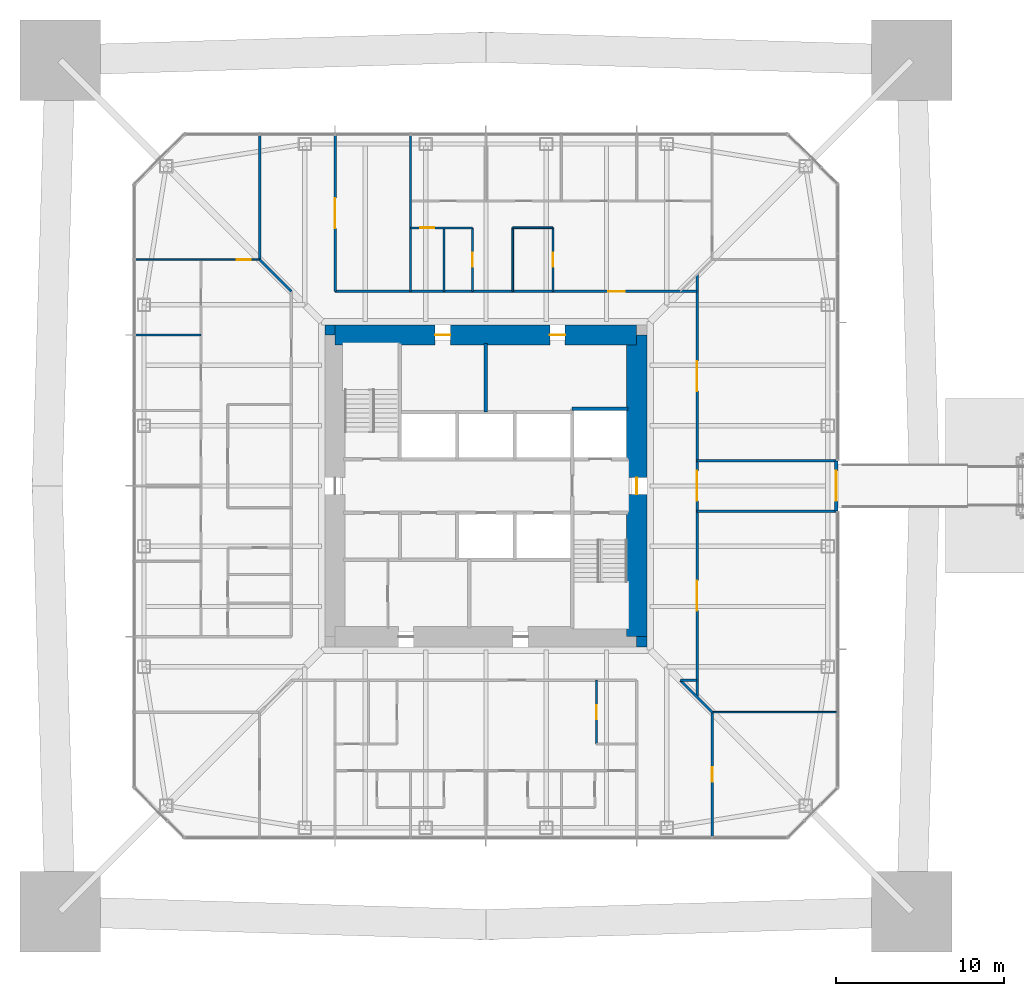
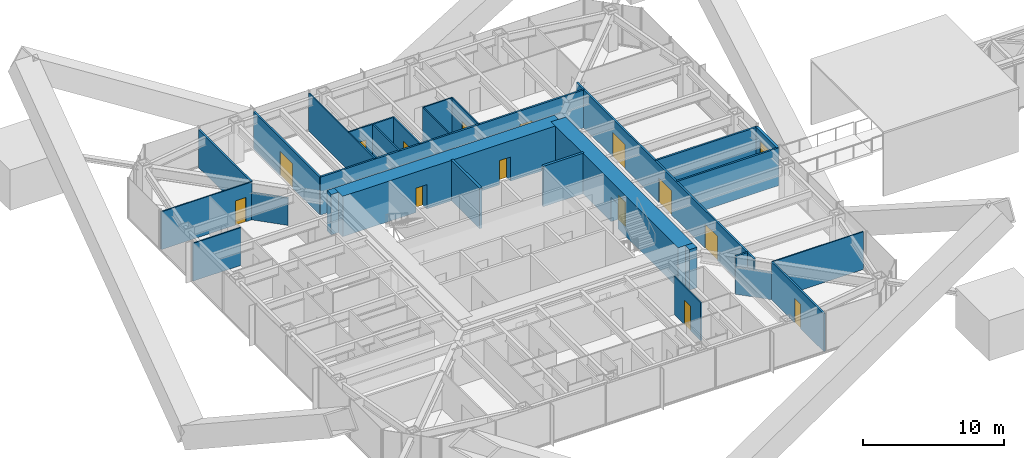
# One storey, part 19 of 28: 28 walls, 15 doors, 15 openings.
"""IFC4 building model written with IfcOpenShell, lengths in metres."""

from ifc_helpers import new_model, si_unit, direction, frame, frame_2d, origin, place, context, subcontext, project, spatial, rectangle, extrude, material, layer, layer_set, type_object, element, fill, save


model = new_model("IFC4")

# Units and contexts
model_context = context("Model", 3, precision=1e-05, world=origin(), true_north=direction((0.0, 1.0)))
body_context = subcontext(model_context, "Body", "Model", "MODEL_VIEW")
ifc_project = project(units=[si_unit("LENGTHUNIT", "METRE"), si_unit("AREAUNIT", "SQUARE_METRE"), si_unit("VOLUMEUNIT", "CUBIC_METRE"), si_unit("PLANEANGLEUNIT", "RADIAN"), si_unit("MASSUNIT", "GRAM", prefix="KILO")], contexts=[model_context])

# Site, building, storey
site_placement = place(None, origin())
site = spatial("IfcSite", under=ifc_project, at=site_placement, CompositionType="ELEMENT")
building_placement = place(site_placement, origin())
building = spatial("IfcBuilding", under=site, at=building_placement, Name="Iwan Alto Co-Living Towers", CompositionType="ELEMENT")
storey_placement = place(building_placement, frame((0.0, 0.0, 98.0)))
storey = spatial("IfcBuildingStorey", under=building, at=storey_placement, Name="L26", CompositionType="ELEMENT", Elevation=98.0)

# Wall, opening, door
ifc_material_1 = material(Name="Aluminium 6063-T6 bronze anodised", Category="aluminium")
ifc_layer_1 = layer(ifc_material_1, 0.030029296875, Name="Cladding", Category="Finish")
ifc_material_2 = material(Name="Steel ASTM A1003 ST33H cold-formed studs", Category="steel")
ifc_layer_2 = layer(ifc_material_2, 0.169921875, Name="Studs", Category="Framing")
ifc_layer_set_1 = layer_set([ifc_layer_1, ifc_layer_2], Name="BRIDGE END WALL 200")
wall_type_1 = type_object("IfcWallType", Name="BRIDGE END WALL 200", PredefinedType="SOLIDWALL", material=ifc_layer_set_1)
wall_1_placement = place(storey_placement, frame((20.89990234375, -1.5, 0.0), z_axis=(0.0, 0.0, 1.0), x_axis=(0.0, 1.0, 0.0)))
wall_1 = element("IfcWall", 1, at=wall_1_placement, inside=storey, type_object=wall_type_1, Name="T1 bridge end wall L26", PredefinedType="SOLIDWALL", context=body_context, shape_type="SweptSolid", body=[
    extrude(rectangle(XDim=3.0, YDim=0.199951171875, at=frame_2d((1.5, 0.0))), origin(), (0.0, 0.0, 1.0), 3.27001953125),
])
opening_1_placement = place(wall_1_placement, frame((0.60009765625, 0.0, 0.0)))
opening_1 = element("IfcOpeningElement", 2, at=opening_1_placement, cuts=wall_1, Name="Opening DE5", PredefinedType="OPENING", context=body_context, shape_type="SweptSolid", body=[
    extrude(rectangle(XDim=1.800048828125, YDim=2.39990234375, at=frame_2d((0.89990234375, 1.199951171875))), frame((0.0, 0.10986328125, 0.0), z_axis=(0.0, -1.0, 0.0), x_axis=(1.0, 0.0, 0.0)), (0.0, 0.0, 1.0), 0.219970703125),
])
ifc_material_3 = material(Name="Steel frame with glazed fire-rated leaves", Category="steel")
door_type_1 = type_object("IfcDoorType", Name="BRIDGE DOOR FD120S 1800X2400", OperationType="DOUBLE_DOOR_SINGLE_SWING", PredefinedType="DOOR", material=ifc_material_3)
door_1_placement = place(opening_1_placement, frame((1.800048828125, 0.0, 0.0), z_axis=(0.0, 0.0, 1.0), x_axis=(-1.0, 0.0, 0.0)))
door_1 = element("IfcDoor", 3, at=door_1_placement, inside=storey, type_object=door_type_1, Name="Bridge BR1 door L26", OperationType="DOUBLE_DOOR_SINGLE_SWING", OverallHeight=2.39990234375, OverallWidth=1.800048828125, PredefinedType="DOOR", context=body_context, shape_type="SweptSolid", body=[
    extrude(rectangle(XDim=1.800048828125, YDim=2.39990234375, at=frame_2d((0.89990234375, 1.199951171875))), frame((0.0, 0.02490234375, 0.0), z_axis=(0.0, -1.0, 0.0), x_axis=(1.0, 0.0, 0.0)), (0.0, 0.0, 1.0), 0.050048828125),
])
fill(opening_1, door_1)

# Walls
ifc_material_4 = material(Name="Gypsum board")
ifc_layer_3 = layer(ifc_material_4, 0.02490234375, Name="Board", Category="Finish")
ifc_layer_4 = layer(ifc_material_2, 0.10009765625, Name="Studs", Category="Framing")
ifc_layer_5 = layer(ifc_material_4, 0.02490234375, Name="Board", Category="Finish")
ifc_layer_set_2 = layer_set([ifc_layer_3, ifc_layer_4, ifc_layer_5], Name="CORRIDOR WALL 150")
wall_type_2 = type_object("IfcWallType", Name="CORRIDOR WALL 150", PredefinedType="PARTITIONING", material=ifc_layer_set_2)
wall_2_placement = place(storey_placement, frame((11.60009765625, -11.60009765625, 0.0), z_axis=(0.0, 0.0, 1.0), x_axis=(1.0, 0.0, 0.0)))
element("IfcWall", 4, at=wall_2_placement, inside=storey, type_object=wall_type_2, Name="Partition L26", PredefinedType="PARTITIONING", context=body_context, shape_type="SweptSolid", body=[
    extrude(rectangle(XDim=1.0, YDim=0.14990234375, at=frame_2d((0.5, 0.0))), origin(), (0.0, 0.0, 1.0), 3.27001953125),
])
for number, where, z_axis, x_axis, name in (
    (5, (12.60009765625, -1.5, 0.0), (0.0, 0.0, 1.0), (1.0, 0.0, 0.0), "Partition L26"),
    (6, (12.60009765625, 1.5, 0.0), (0.0, 0.0, 1.0), (1.0, 0.0, 0.0), "Partition L26"),
):
    element("IfcWall", number, at=place(storey_placement, frame(where, z_axis=z_axis, x_axis=x_axis)), inside=storey, type_object=wall_type_2, Name=name, PredefinedType="PARTITIONING", context=body_context, shape_type="SweptSolid", body=[
        extrude(rectangle(XDim=8.33984375, YDim=0.14990234375, at=frame_2d((4.169921875, 0.0))), origin(), (0.0, 0.0, 1.0), 3.27001953125),
    ])

# Wall, opening, door
wall_3_placement = place(storey_placement, frame((-9.0, 11.60009765625, 0.0), z_axis=(0.0, 0.0, 1.0), x_axis=(1.0, 0.0, 0.0)))
wall_3 = element("IfcWall", 7, at=wall_3_placement, inside=storey, type_object=wall_type_2, Name="Partition L26", PredefinedType="PARTITIONING", context=body_context, shape_type="SweptSolid", body=[
    extrude(rectangle(XDim=21.60009765625, YDim=0.14990234375, at=frame_2d((10.800048828125, 0.0))), origin(), (0.0, 0.0, 1.0), 3.27001953125),
])
opening_2_placement = place(wall_3_placement, frame((16.300048828125, 0.0, 0.0)))
opening_2 = element("IfcOpeningElement", 8, at=opening_2_placement, cuts=wall_3, Name="Opening D3", PredefinedType="OPENING", context=body_context, shape_type="SweptSolid", body=[
    extrude(rectangle(XDim=1.0, YDim=2.10009765625, at=frame_2d((0.5, 1.050048828125))), frame((0.0, 0.0849609375, 0.0), z_axis=(0.0, -1.0, 0.0), x_axis=(1.0, 0.0, 0.0)), (0.0, 0.0, 1.0), 0.169921875),
])
ifc_material_5 = material(Name="Steel frame with timber leaf", Category="steel")
door_type_2 = type_object("IfcDoorType", Name="FLAT ENTRANCE DOOR FD30S 1000X2100", OperationType="SINGLE_SWING_LEFT", PredefinedType="DOOR", material=ifc_material_5)
door_2_placement = place(opening_2_placement, origin())
door_2 = element("IfcDoor", 9, at=door_2_placement, inside=storey, type_object=door_type_2, Name="Cluster lounge door L26", OperationType="SINGLE_SWING_LEFT", OverallHeight=2.10009765625, OverallWidth=1.0, PredefinedType="DOOR", context=body_context, shape_type="SweptSolid", body=[
    extrude(rectangle(XDim=1.0, YDim=2.10009765625, at=frame_2d((0.5, 1.050048828125))), frame((0.0, 0.02490234375, 0.0), z_axis=(0.0, -1.0, 0.0), x_axis=(1.0, 0.0, 0.0)), (0.0, 0.0, 1.0), 0.050048828125),
])
fill(opening_2, door_2)

wall_4_placement = place(storey_placement, frame((13.5, -20.93994140625, 0.0), z_axis=(0.0, 0.0, 1.0), x_axis=(0.0, 1.0, 0.0)))
wall_4 = element("IfcWall", 10, at=wall_4_placement, inside=storey, type_object=wall_type_2, Name="Partition L26", PredefinedType="PARTITIONING", context=body_context, shape_type="SweptSolid", body=[
    extrude(rectangle(XDim=7.43994140625, YDim=0.14990234375, at=frame_2d((3.719970703125, 0.0))), origin(), (0.0, 0.0, 1.0), 3.27001953125),
])
opening_3_placement = place(wall_4_placement, frame((3.294921875, 0.0, 0.0)))
opening_3 = element("IfcOpeningElement", 11, at=opening_3_placement, cuts=wall_4, Name="Opening D2", PredefinedType="OPENING", context=body_context, shape_type="SweptSolid", body=[
    extrude(rectangle(XDim=0.85009765625, YDim=2.10009765625, at=frame_2d((0.425048828125, 1.050048828125))), frame((0.0, 0.0849609375, 0.0), z_axis=(0.0, -1.0, 0.0), x_axis=(1.0, 0.0, 0.0)), (0.0, 0.0, 1.0), 0.169921875),
])
ifc_material_6 = material(Name="Timber leaf in steel frame", Category="steel")
door_type_3 = type_object("IfcDoorType", Name="ROOM DOOR 850X2100", OperationType="SINGLE_SWING_LEFT", PredefinedType="DOOR", material=ifc_material_6)
door_3_placement = place(opening_3_placement, frame((0.85009765625, 0.0, 0.0), z_axis=(0.0, 0.0, 1.0), x_axis=(-1.0, 0.0, 0.0)))
door_3 = element("IfcDoor", 12, at=door_3_placement, inside=storey, type_object=door_type_3, Name="Shared kitchen and lounge door L26", OperationType="SINGLE_SWING_LEFT", OverallHeight=2.10009765625, OverallWidth=0.85009765625, PredefinedType="DOOR", context=body_context, shape_type="SweptSolid", body=[
    extrude(rectangle(XDim=0.85009765625, YDim=2.10009765625, at=frame_2d((0.425048828125, 1.050048828125))), frame((0.0, 0.02490234375, 0.0), z_axis=(0.0, -1.0, 0.0), x_axis=(1.0, 0.0, 0.0)), (0.0, 0.0, 1.0), 0.050048828125),
])
fill(opening_3, door_3)

# Wall, openings, doors
wall_5_placement = place(storey_placement, frame((12.60009765625, -12.60009765625, 0.0), z_axis=(0.0, 0.0, 1.0), x_axis=(0.0, 1.0, 0.0)))
wall_5 = element("IfcWall", 13, at=wall_5_placement, inside=storey, type_object=wall_type_2, Name="Partition L26", PredefinedType="PARTITIONING", context=body_context, shape_type="SweptSolid", body=[
    extrude(rectangle(XDim=25.2001953125, YDim=0.14990234375, at=frame_2d((12.60009765625, 0.0))), origin(), (0.0, 0.0, 1.0), 3.27001953125),
])
opening_4_placement = place(wall_5_placement, frame((5.14990234375, 0.0, 0.0)))
opening_4 = element("IfcOpeningElement", 14, at=opening_4_placement, cuts=wall_5, Name="Opening D9", PredefinedType="OPENING", context=body_context, shape_type="SweptSolid", body=[
    extrude(rectangle(XDim=1.800048828125, YDim=2.10009765625, at=frame_2d((0.89990234375, 1.050048828125))), frame((0.0, 0.0849609375, 0.0), z_axis=(0.0, -1.0, 0.0), x_axis=(1.0, 0.0, 0.0)), (0.0, 0.0, 1.0), 0.169921875),
])
opening_5_placement = place(wall_5_placement, frame((11.699951171875, 0.0, 0.0)))
opening_5 = element("IfcOpeningElement", 15, at=opening_5_placement, cuts=wall_5, Name="Opening D9", PredefinedType="OPENING", context=body_context, shape_type="SweptSolid", body=[
    extrude(rectangle(XDim=1.800048828125, YDim=2.10009765625, at=frame_2d((0.89990234375, 1.050048828125))), frame((0.0, 0.0849609375, 0.0), z_axis=(0.0, -1.0, 0.0), x_axis=(1.0, 0.0, 0.0)), (0.0, 0.0, 1.0), 0.169921875),
])
opening_6_placement = place(wall_5_placement, frame((18.25, 0.0, 0.0)))
opening_6 = element("IfcOpeningElement", 16, at=opening_6_placement, cuts=wall_5, Name="Opening D9", PredefinedType="OPENING", context=body_context, shape_type="SweptSolid", body=[
    extrude(rectangle(XDim=1.800048828125, YDim=2.10009765625, at=frame_2d((0.89990234375, 1.050048828125))), frame((0.0, 0.0849609375, 0.0), z_axis=(0.0, -1.0, 0.0), x_axis=(1.0, 0.0, 0.0)), (0.0, 0.0, 1.0), 0.169921875),
])
ifc_material_7 = material(Name="Steel frame with timber leaf", Category="steel")
door_type_4 = type_object("IfcDoorType", Name="LOUNGE DOOR FD30S 1800X2100", OperationType="DOUBLE_DOOR_SINGLE_SWING", PredefinedType="DOOR", material=ifc_material_7)
door_4_placement = place(opening_4_placement, frame((1.800048828125, 0.0, 0.0), z_axis=(0.0, 0.0, 1.0), x_axis=(-1.0, 0.0, 0.0)))
door_4 = element("IfcDoor", 17, at=door_4_placement, inside=storey, type_object=door_type_4, Name="Study sky lounge door L26", OperationType="DOUBLE_DOOR_SINGLE_SWING", OverallHeight=2.10009765625, OverallWidth=1.800048828125, PredefinedType="DOOR", context=body_context, shape_type="SweptSolid", body=[
    extrude(rectangle(XDim=1.800048828125, YDim=2.10009765625, at=frame_2d((0.89990234375, 1.050048828125))), frame((0.0, 0.02490234375, 0.0), z_axis=(0.0, -1.0, 0.0), x_axis=(1.0, 0.0, 0.0)), (0.0, 0.0, 1.0), 0.050048828125),
])
fill(opening_4, door_4)
door_5_placement = place(opening_5_placement, origin())
door_5 = element("IfcDoor", 18, at=door_5_placement, inside=storey, type_object=door_type_4, Name="Bridge lobby door L26", OperationType="DOUBLE_DOOR_SINGLE_SWING", OverallHeight=2.10009765625, OverallWidth=1.800048828125, PredefinedType="DOOR", context=body_context, shape_type="SweptSolid", body=[
    extrude(rectangle(XDim=1.800048828125, YDim=2.10009765625, at=frame_2d((0.89990234375, 1.050048828125))), frame((0.0, 0.02490234375, 0.0), z_axis=(0.0, -1.0, 0.0), x_axis=(1.0, 0.0, 0.0)), (0.0, 0.0, 1.0), 0.050048828125),
])
fill(opening_5, door_5)
door_6_placement = place(opening_6_placement, frame((1.800048828125, 0.0, 0.0), z_axis=(0.0, 0.0, 1.0), x_axis=(-1.0, 0.0, 0.0)))
door_6 = element("IfcDoor", 19, at=door_6_placement, inside=storey, type_object=door_type_4, Name="Quiet study room door L26", OperationType="DOUBLE_DOOR_SINGLE_SWING", OverallHeight=2.10009765625, OverallWidth=1.800048828125, PredefinedType="DOOR", context=body_context, shape_type="SweptSolid", body=[
    extrude(rectangle(XDim=1.800048828125, YDim=2.10009765625, at=frame_2d((0.89990234375, 1.050048828125))), frame((0.0, 0.02490234375, 0.0), z_axis=(0.0, -1.0, 0.0), x_axis=(1.0, 0.0, 0.0)), (0.0, 0.0, 1.0), 0.050048828125),
])
fill(opening_6, door_6)

# Wall, opening, door
wall_6_placement = place(storey_placement, frame((-9.0, 11.60009765625, 0.0), z_axis=(0.0, 0.0, 1.0), x_axis=(0.0, 1.0, 0.0)))
wall_6 = element("IfcWall", 20, at=wall_6_placement, inside=storey, type_object=wall_type_2, Name="Partition L26", PredefinedType="PARTITIONING", context=body_context, shape_type="SweptSolid", body=[
    extrude(rectangle(XDim=9.33984375, YDim=0.14990234375, at=frame_2d((4.669921875, 0.0))), origin(), (0.0, 0.0, 1.0), 3.27001953125),
])
opening_7_placement = place(wall_6_placement, frame((3.77001953125, 0.0, 0.0)))
opening_7 = element("IfcOpeningElement", 21, at=opening_7_placement, cuts=wall_6, Name="Opening D9", PredefinedType="OPENING", context=body_context, shape_type="SweptSolid", body=[
    extrude(rectangle(XDim=1.800048828125, YDim=2.10009765625, at=frame_2d((0.89990234375, 1.050048828125))), frame((0.0, 0.0849609375, 0.0), z_axis=(0.0, -1.0, 0.0), x_axis=(1.0, 0.0, 0.0)), (0.0, 0.0, 1.0), 0.169921875),
])
door_7_placement = place(opening_7_placement, frame((1.800048828125, 0.0, 0.0), z_axis=(0.0, 0.0, 1.0), x_axis=(-1.0, 0.0, 0.0)))
door_7 = element("IfcDoor", 22, at=door_7_placement, inside=storey, type_object=door_type_4, Name="Seminar room door L26", OperationType="DOUBLE_DOOR_SINGLE_SWING", OverallHeight=2.10009765625, OverallWidth=1.800048828125, PredefinedType="DOOR", context=body_context, shape_type="SweptSolid", body=[
    extrude(rectangle(XDim=1.800048828125, YDim=2.10009765625, at=frame_2d((0.89990234375, 1.050048828125))), frame((0.0, 0.02490234375, 0.0), z_axis=(0.0, -1.0, 0.0), x_axis=(1.0, 0.0, 0.0)), (0.0, 0.0, 1.0), 0.050048828125),
])
fill(opening_7, door_7)

# Walls
wall_7_placement = place(storey_placement, frame((-13.5, 13.5, 0.0), z_axis=(0.0, 0.0, 1.0), x_axis=(0.0, 1.0, 0.0)))
element("IfcWall", 23, at=wall_7_placement, inside=storey, type_object=wall_type_2, Name="Partition L26", PredefinedType="PARTITIONING", context=body_context, shape_type="SweptSolid", body=[
    extrude(rectangle(XDim=7.43994140625, YDim=0.14990234375, at=frame_2d((3.719970703125, 0.0))), origin(), (0.0, 0.0, 1.0), 3.27001953125),
])
for number, where, z_axis, x_axis, name in (
    (24, (13.5, -13.5, 0.0), (0.0, 0.0, 1.0), (-0.707106781187, 0.707106781187, 0.0), "Partition L26"),
    (25, (-11.60009765625, 11.60009765625, 0.0), (0.0, 0.0, 1.0), (-0.707106781187, 0.707106781187, 0.0), "Partition L26"),
):
    element("IfcWall", number, at=place(storey_placement, frame(where, z_axis=z_axis, x_axis=x_axis)), inside=storey, type_object=wall_type_2, Name=name, PredefinedType="PARTITIONING", context=body_context, shape_type="SweptSolid", body=[
        extrude(rectangle(XDim=2.686767578125, YDim=0.14990234375, at=frame_2d((1.34326171875, 0.0))), origin(), (0.0, 0.0, 1.0), 2.343017578125),
    ])
ifc_layer_6 = layer(ifc_material_4, 0.012451171875, Name="Board", Category="Finish")
ifc_layer_7 = layer(ifc_material_2, 0.074951171875, Name="Studs", Category="Framing")
ifc_layer_8 = layer(ifc_material_4, 0.012451171875, Name="Board", Category="Finish")
ifc_layer_set_3 = layer_set([ifc_layer_6, ifc_layer_7, ifc_layer_8], Name="PARTITION 100")
wall_type_3 = type_object("IfcWallType", Name="PARTITION 100", PredefinedType="PARTITIONING", material=ifc_layer_set_3)
wall_8_placement = place(storey_placement, frame((13.5, -13.5, 0.0), z_axis=(0.0, 0.0, 1.0), x_axis=(1.0, 0.0, 0.0)))
element("IfcWall", 26, at=wall_8_placement, inside=storey, type_object=wall_type_3, Name="Partition L26", PredefinedType="PARTITIONING", context=body_context, shape_type="SweptSolid", body=[
    extrude(rectangle(XDim=7.43994140625, YDim=0.10009765625, at=frame_2d((3.719970703125, 0.0))), origin(), (0.0, 0.0, 1.0), 3.27001953125),
])
wall_9_placement = place(storey_placement, frame((-20.93994140625, 9.0, 0.0), z_axis=(0.0, 0.0, 1.0), x_axis=(1.0, 0.0, 0.0)))
element("IfcWall", 27, at=wall_9_placement, inside=storey, type_object=wall_type_3, Name="Partition L26", PredefinedType="PARTITIONING", context=body_context, shape_type="SweptSolid", body=[
    extrude(rectangle(XDim=3.93994140625, YDim=0.10009765625, at=frame_2d((1.969970703125, 0.0))), origin(), (0.0, 0.0, 1.0), 3.27001953125),
])

# Wall, opening, door
wall_10_placement = place(storey_placement, frame((-20.93994140625, 13.5, 0.0), z_axis=(0.0, 0.0, 1.0), x_axis=(1.0, 0.0, 0.0)))
wall_10 = element("IfcWall", 28, at=wall_10_placement, inside=storey, type_object=wall_type_3, Name="Partition L26", PredefinedType="PARTITIONING", context=body_context, shape_type="SweptSolid", body=[
    extrude(rectangle(XDim=7.43994140625, YDim=0.10009765625, at=frame_2d((3.719970703125, 0.0))), origin(), (0.0, 0.0, 1.0), 3.27001953125),
])
opening_8_placement = place(wall_10_placement, frame((6.06494140625, 0.0, 0.0)))
opening_8 = element("IfcOpeningElement", 29, at=opening_8_placement, cuts=wall_10, Name="Opening D2", PredefinedType="OPENING", context=body_context, shape_type="SweptSolid", body=[
    extrude(rectangle(XDim=0.85009765625, YDim=2.10009765625, at=frame_2d((0.425048828125, 1.050048828125))), frame((0.0, 0.06005859375, 0.0), z_axis=(0.0, -1.0, 0.0), x_axis=(1.0, 0.0, 0.0)), (0.0, 0.0, 1.0), 0.1201171875),
])
door_8_placement = place(opening_8_placement, frame((0.85009765625, 0.0, 0.0), z_axis=(0.0, 0.0, 1.0), x_axis=(-1.0, 0.0, 0.0)))
door_8 = element("IfcDoor", 30, at=door_8_placement, inside=storey, type_object=door_type_3, Name="Shared kitchen and lounge door L26", OperationType="SINGLE_SWING_LEFT", OverallHeight=2.10009765625, OverallWidth=0.85009765625, PredefinedType="DOOR", context=body_context, shape_type="SweptSolid", body=[
    extrude(rectangle(XDim=0.85009765625, YDim=2.10009765625, at=frame_2d((0.425048828125, 1.050048828125))), frame((0.0, 0.02490234375, 0.0), z_axis=(0.0, -1.0, 0.0), x_axis=(1.0, 0.0, 0.0)), (0.0, 0.0, 1.0), 0.050048828125),
])
fill(opening_8, door_8)

# Wall
wall_11_placement = place(storey_placement, frame((1.60009765625, 15.39990234375, 0.0), z_axis=(0.0, 0.0, 1.0), x_axis=(1.0, 0.0, 0.0)))
element("IfcWall", 31, at=wall_11_placement, inside=storey, type_object=wall_type_3, Name="Partition L26", PredefinedType="PARTITIONING", context=body_context, shape_type="SweptSolid", body=[
    extrude(rectangle(XDim=2.39990234375, YDim=0.10009765625, at=frame_2d((1.199951171875, 0.0))), origin(), (0.0, 0.0, 1.0), 3.27001953125),
])

# Wall, opening, door
wall_12_placement = place(storey_placement, frame((6.60009765625, -15.39990234375, 0.0), z_axis=(0.0, 0.0, 1.0), x_axis=(0.0, 1.0, 0.0)))
wall_12 = element("IfcWall", 32, at=wall_12_placement, inside=storey, type_object=wall_type_3, Name="Partition L26", PredefinedType="PARTITIONING", context=body_context, shape_type="SweptSolid", body=[
    extrude(rectangle(XDim=3.7998046875, YDim=0.10009765625, at=frame_2d((1.89990234375, 0.0))), origin(), (0.0, 0.0, 1.0), 3.27001953125),
])
opening_9_placement = place(wall_12_placement, frame((1.47509765625, 0.0, 0.0)))
opening_9 = element("IfcOpeningElement", 33, at=opening_9_placement, cuts=wall_12, Name="Opening D2", PredefinedType="OPENING", context=body_context, shape_type="SweptSolid", body=[
    extrude(rectangle(XDim=0.85009765625, YDim=2.10009765625, at=frame_2d((0.425048828125, 1.050048828125))), frame((0.0, 0.06005859375, 0.0), z_axis=(0.0, -1.0, 0.0), x_axis=(1.0, 0.0, 0.0)), (0.0, 0.0, 1.0), 0.1201171875),
])
door_9_placement = place(opening_9_placement, origin())
door_9 = element("IfcDoor", 34, at=door_9_placement, inside=storey, type_object=door_type_3, Name="Study room door L26", OperationType="SINGLE_SWING_RIGHT", OverallHeight=2.10009765625, OverallWidth=0.85009765625, PredefinedType="DOOR", context=body_context, shape_type="SweptSolid", body=[
    extrude(rectangle(XDim=0.85009765625, YDim=2.10009765625, at=frame_2d((0.425048828125, 1.050048828125))), frame((0.0, 0.02490234375, 0.0), z_axis=(0.0, -1.0, 0.0), x_axis=(1.0, 0.0, 0.0)), (0.0, 0.0, 1.0), 0.050048828125),
])
fill(opening_9, door_9)

wall_13_placement = place(storey_placement, frame((4.0, 11.60009765625, 0.0), z_axis=(0.0, 0.0, 1.0), x_axis=(0.0, 1.0, 0.0)))
wall_13 = element("IfcWall", 35, at=wall_13_placement, inside=storey, type_object=wall_type_3, Name="Partition L26", PredefinedType="PARTITIONING", context=body_context, shape_type="SweptSolid", body=[
    extrude(rectangle(XDim=3.7998046875, YDim=0.10009765625, at=frame_2d((1.89990234375, 0.0))), origin(), (0.0, 0.0, 1.0), 3.27001953125),
])
opening_10_placement = place(wall_13_placement, frame((1.47509765625, 0.0, 0.0)))
opening_10 = element("IfcOpeningElement", 36, at=opening_10_placement, cuts=wall_13, Name="Opening D2", PredefinedType="OPENING", context=body_context, shape_type="SweptSolid", body=[
    extrude(rectangle(XDim=0.85009765625, YDim=2.10009765625, at=frame_2d((0.425048828125, 1.050048828125))), frame((0.0, 0.06005859375, 0.0), z_axis=(0.0, -1.0, 0.0), x_axis=(1.0, 0.0, 0.0)), (0.0, 0.0, 1.0), 0.1201171875),
])
door_10_placement = place(opening_10_placement, frame((0.85009765625, 0.0, 0.0), z_axis=(0.0, 0.0, 1.0), x_axis=(-1.0, 0.0, 0.0)))
door_10 = element("IfcDoor", 37, at=door_10_placement, inside=storey, type_object=door_type_3, Name="Study room door L26", OperationType="SINGLE_SWING_RIGHT", OverallHeight=2.10009765625, OverallWidth=0.85009765625, PredefinedType="DOOR", context=body_context, shape_type="SweptSolid", body=[
    extrude(rectangle(XDim=0.85009765625, YDim=2.10009765625, at=frame_2d((0.425048828125, 1.050048828125))), frame((0.0, 0.02490234375, 0.0), z_axis=(0.0, -1.0, 0.0), x_axis=(1.0, 0.0, 0.0)), (0.0, 0.0, 1.0), 0.050048828125),
])
fill(opening_10, door_10)

# Walls
wall_14_placement = place(storey_placement, frame((1.60009765625, 11.60009765625, 0.0), z_axis=(0.0, 0.0, 1.0), x_axis=(0.0, 1.0, 0.0)))
element("IfcWall", 38, at=wall_14_placement, inside=storey, type_object=wall_type_3, Name="Partition L26", PredefinedType="PARTITIONING", context=body_context, shape_type="SweptSolid", body=[
    extrude(rectangle(XDim=3.7998046875, YDim=0.10009765625, at=frame_2d((1.89990234375, 0.0))), origin(), (0.0, 0.0, 1.0), 3.27001953125),
])
wall_15_placement = place(storey_placement, frame((-4.5, 11.60009765625, 0.0), z_axis=(0.0, 0.0, 1.0), x_axis=(0.0, 1.0, 0.0)))
element("IfcWall", 39, at=wall_15_placement, inside=storey, type_object=wall_type_3, Name="Partition L26", PredefinedType="PARTITIONING", context=body_context, shape_type="SweptSolid", body=[
    extrude(rectangle(XDim=9.33984375, YDim=0.10009765625, at=frame_2d((4.669921875, 0.0))), origin(), (0.0, 0.0, 1.0), 3.27001953125),
])
ifc_material_8 = material(Name="Concrete f'c 70 MPa", Category="concrete")
ifc_layer_9 = layer(ifc_material_8, 0.199951171875)
ifc_layer_set_4 = layer_set([ifc_layer_9], Name="SHAFT WALL 200")
wall_type_4 = type_object("IfcWallType", Name="SHAFT WALL 200", PredefinedType="SOLIDWALL", material=ifc_layer_set_4)
wall_16_placement = place(storey_placement, frame((5.14990234375, 4.60009765625, 0.0), z_axis=(0.0, 0.0, 1.0), x_axis=(1.0, 0.0, 0.0)))
element("IfcWall", 40, at=wall_16_placement, inside=storey, type_object=wall_type_4, Name="Shaft wall L26", PredefinedType="SOLIDWALL", context=body_context, shape_type="SweptSolid", body=[
    extrude(rectangle(XDim=3.340087890625, YDim=0.199951171875, at=frame_2d((1.669921875, 0.0))), origin(), (0.0, 0.0, 1.0), 3.5),
])
wall_17_placement = place(storey_placement, frame((0.0, 4.39990234375, 0.0), z_axis=(0.0, 0.0, 1.0), x_axis=(0.0, 1.0, 0.0)))
element("IfcWall", 41, at=wall_17_placement, inside=storey, type_object=wall_type_4, Name="Shaft wall L26", PredefinedType="SOLIDWALL", context=body_context, shape_type="SweptSolid", body=[
    extrude(rectangle(XDim=4.090087890625, YDim=0.199951171875, at=frame_2d((2.044921875, 0.0))), origin(), (0.0, 0.0, 1.0), 3.5),
])
ifc_material_9 = material(Name="Concrete f'c 70 MPa", Category="concrete")
ifc_layer_10 = layer(ifc_material_9, 0.60009765625)
ifc_layer_set_5 = layer_set([ifc_layer_10], Name="T1 CORE CORNER FILL 600")
wall_type_5 = type_object("IfcWallType", Name="T1 CORE CORNER FILL 600", PredefinedType="SOLIDWALL", material=ifc_layer_set_5)
for number, where, z_axis, x_axis, name in (
    (42, (9.0, -9.300048828125, 0.0), (0.0, 0.0, 1.0), (1.0, 0.0, 0.0), "T1 core corner SE L26"),
    (43, (-9.60009765625, 9.300048828125, 0.0), (0.0, 0.0, 1.0), (1.0, 0.0, 0.0), "T1 core corner NW L26"),
):
    element("IfcWall", number, at=place(storey_placement, frame(where, z_axis=z_axis, x_axis=x_axis)), inside=storey, type_object=wall_type_5, Name=name, PredefinedType="SOLIDWALL", context=body_context, shape_type="SweptSolid", body=[
        extrude(rectangle(XDim=0.60009765625, YDim=0.60009765625, at=frame_2d((0.300048828125, 0.0))), origin(), (0.0, 0.0, 1.0), 3.5),
    ])

# Wall, openings, doors
ifc_material_10 = material(Name="Concrete f'c 70 MPa", Category="concrete")
ifc_layer_11 = layer(ifc_material_10, 1.199951171875)
ifc_layer_set_6 = layer_set([ifc_layer_11], Name="T1 CORE WALL 1200")
wall_type_6 = type_object("IfcWallType", Name="T1 CORE WALL 1200", PredefinedType="SHEAR", material=ifc_layer_set_6)
wall_18_placement = place(storey_placement, frame((9.0, 9.0, 0.0), z_axis=(0.0, 0.0, 1.0), x_axis=(-1.0, 0.0, 0.0)))
wall_18 = element("IfcWall", 44, at=wall_18_placement, inside=storey, type_object=wall_type_6, Name="T1 core wall N L26", PredefinedType="SHEAR", context=body_context, shape_type="SweptSolid", body=[
    extrude(rectangle(XDim=18.0, YDim=1.199951171875, at=frame_2d((9.0, 0.0))), origin(), (0.0, 0.0, 1.0), 3.5),
])
opening_11_placement = place(wall_18_placement, frame((11.125, 0.0, 0.0)))
opening_11 = element("IfcOpeningElement", 45, at=opening_11_placement, cuts=wall_18, Name="Opening D8", PredefinedType="OPENING", context=body_context, shape_type="SweptSolid", body=[
    extrude(rectangle(XDim=0.89990234375, YDim=2.10009765625, at=frame_2d((0.449951171875, 1.050048828125))), frame((0.0, 0.60986328125, 0.0), z_axis=(0.0, -1.0, 0.0), x_axis=(1.0, 0.0, 0.0)), (0.0, 0.0, 1.0), 1.219970703125),
])
opening_12_placement = place(wall_18_placement, frame((4.27490234375, 0.0, 0.0)))
opening_12 = element("IfcOpeningElement", 46, at=opening_12_placement, cuts=wall_18, Name="Opening D8", PredefinedType="OPENING", context=body_context, shape_type="SweptSolid", body=[
    extrude(rectangle(XDim=0.89990234375, YDim=2.10009765625, at=frame_2d((0.449951171875, 1.050048828125))), frame((0.0, 0.60986328125, 0.0), z_axis=(0.0, -1.0, 0.0), x_axis=(1.0, 0.0, 0.0)), (0.0, 0.0, 1.0), 1.219970703125),
])
ifc_material_11 = material(Name="Steel frame with timber leaf", Category="steel")
door_type_5 = type_object("IfcDoorType", Name="RISER DOOR FD120 900X2100", OperationType="SINGLE_SWING_LEFT", PredefinedType="DOOR", material=ifc_material_11)
door_11_placement = place(opening_11_placement, origin())
door_11 = element("IfcDoor", 47, at=door_11_placement, inside=storey, type_object=door_type_5, Name="Electrical riser core door L26", OperationType="SINGLE_SWING_RIGHT", OverallHeight=2.10009765625, OverallWidth=0.89990234375, PredefinedType="DOOR", context=body_context, shape_type="SweptSolid", body=[
    extrude(rectangle(XDim=0.89990234375, YDim=2.10009765625, at=frame_2d((0.449951171875, 1.050048828125))), frame((0.0, 0.02490234375, 0.0), z_axis=(0.0, -1.0, 0.0), x_axis=(1.0, 0.0, 0.0)), (0.0, 0.0, 1.0), 0.050048828125),
])
fill(opening_11, door_11)
door_12_placement = place(opening_12_placement, origin())
door_12 = element("IfcDoor", 48, at=door_12_placement, inside=storey, type_object=door_type_5, Name="Water and drainage riser core door L26", OperationType="SINGLE_SWING_RIGHT", OverallHeight=2.10009765625, OverallWidth=0.89990234375, PredefinedType="DOOR", context=body_context, shape_type="SweptSolid", body=[
    extrude(rectangle(XDim=0.89990234375, YDim=2.10009765625, at=frame_2d((0.449951171875, 1.050048828125))), frame((0.0, 0.02490234375, 0.0), z_axis=(0.0, -1.0, 0.0), x_axis=(1.0, 0.0, 0.0)), (0.0, 0.0, 1.0), 0.050048828125),
])
fill(opening_12, door_12)

# Wall, opening, door
wall_19_placement = place(storey_placement, frame((9.0, -9.0, 0.0), z_axis=(0.0, 0.0, 1.0), x_axis=(0.0, 1.0, 0.0)))
wall_19 = element("IfcWall", 49, at=wall_19_placement, inside=storey, type_object=wall_type_6, Name="T1 core wall E L26", PredefinedType="SHEAR", context=body_context, shape_type="SweptSolid", body=[
    extrude(rectangle(XDim=18.0, YDim=1.199951171875, at=frame_2d((9.0, 0.0))), origin(), (0.0, 0.0, 1.0), 3.5),
])
opening_13_placement = place(wall_19_placement, frame((8.5, 0.0, 0.0)))
opening_13 = element("IfcOpeningElement", 50, at=opening_13_placement, cuts=wall_19, Name="Opening D7", PredefinedType="OPENING", context=body_context, shape_type="SweptSolid", body=[
    extrude(rectangle(XDim=1.0, YDim=2.10009765625, at=frame_2d((0.5, 1.050048828125))), frame((0.0, 0.60986328125, 0.0), z_axis=(0.0, -1.0, 0.0), x_axis=(1.0, 0.0, 0.0)), (0.0, 0.0, 1.0), 1.219970703125),
])
ifc_material_12 = material(Name="Steel frame with timber leaf", Category="steel")
door_type_6 = type_object("IfcDoorType", Name="CORE DOOR FD120S 1000X2100", OperationType="SINGLE_SWING_LEFT", PredefinedType="DOOR", material=ifc_material_12)
door_13_placement = place(opening_13_placement, origin())
door_13 = element("IfcDoor", 51, at=door_13_placement, inside=storey, type_object=door_type_6, Name="Firefighting lobby core door L26", OperationType="SINGLE_SWING_LEFT", OverallHeight=2.10009765625, OverallWidth=1.0, PredefinedType="DOOR", context=body_context, shape_type="SweptSolid", body=[
    extrude(rectangle(XDim=1.0, YDim=2.10009765625, at=frame_2d((0.5, 1.050048828125))), frame((0.0, 0.02490234375, 0.0), z_axis=(0.0, -1.0, 0.0), x_axis=(1.0, 0.0, 0.0)), (0.0, 0.0, 1.0), 0.050048828125),
])
fill(opening_13, door_13)

ifc_material_13 = material(Name="Cement board")
ifc_layer_12 = layer(ifc_material_13, 0.012451171875, Name="Board", Category="Finish")
ifc_layer_13 = layer(ifc_material_2, 0.094970703125, Name="Studs", Category="Framing")
ifc_layer_14 = layer(ifc_material_13, 0.012451171875, Name="Board", Category="Finish")
ifc_layer_set_7 = layer_set([ifc_layer_12, ifc_layer_13, ifc_layer_14], Name="WET AREA PARTITION 120")
wall_type_7 = type_object("IfcWallType", Name="WET AREA PARTITION 120", PredefinedType="PARTITIONING", material=ifc_layer_set_7)
wall_20_placement = place(storey_placement, frame((-4.5, 15.39990234375, 0.0), z_axis=(0.0, 0.0, 1.0), x_axis=(1.0, 0.0, 0.0)))
wall_20 = element("IfcWall", 52, at=wall_20_placement, inside=storey, type_object=wall_type_7, Name="Partition L26", PredefinedType="PARTITIONING", context=body_context, shape_type="SweptSolid", body=[
    extrude(rectangle(XDim=3.699951171875, YDim=0.1201171875, at=frame_2d((1.85009765625, 0.0))), origin(), (0.0, 0.0, 1.0), 3.27001953125),
])
opening_14_placement = place(wall_20_placement, frame((0.574951171875, 0.0, 0.0)))
opening_14 = element("IfcOpeningElement", 53, at=opening_14_placement, cuts=wall_20, Name="Opening D2", PredefinedType="OPENING", context=body_context, shape_type="SweptSolid", body=[
    extrude(rectangle(XDim=0.85009765625, YDim=2.10009765625, at=frame_2d((0.425048828125, 1.050048828125))), frame((0.0, 0.070068359375, 0.0), z_axis=(0.0, -1.0, 0.0), x_axis=(1.0, 0.0, 0.0)), (0.0, 0.0, 1.0), 0.14013671875),
])
door_14_placement = place(opening_14_placement, origin())
door_14 = element("IfcDoor", 54, at=door_14_placement, inside=storey, type_object=door_type_3, Name="Laundry door L26", OperationType="SINGLE_SWING_LEFT", OverallHeight=2.10009765625, OverallWidth=0.85009765625, PredefinedType="DOOR", context=body_context, shape_type="SweptSolid", body=[
    extrude(rectangle(XDim=0.85009765625, YDim=2.10009765625, at=frame_2d((0.425048828125, 1.050048828125))), frame((0.0, 0.02490234375, 0.0), z_axis=(0.0, -1.0, 0.0), x_axis=(1.0, 0.0, 0.0)), (0.0, 0.0, 1.0), 0.050048828125),
])
fill(opening_14, door_14)

wall_21_placement = place(storey_placement, frame((-0.800048828125, 11.60009765625, 0.0), z_axis=(0.0, 0.0, 1.0), x_axis=(0.0, 1.0, 0.0)))
wall_21 = element("IfcWall", 55, at=wall_21_placement, inside=storey, type_object=wall_type_7, Name="Partition L26", PredefinedType="PARTITIONING", context=body_context, shape_type="SweptSolid", body=[
    extrude(rectangle(XDim=3.7998046875, YDim=0.1201171875, at=frame_2d((1.89990234375, 0.0))), origin(), (0.0, 0.0, 1.0), 3.27001953125),
])
opening_15_placement = place(wall_21_placement, frame((1.47509765625, 0.0, 0.0)))
opening_15 = element("IfcOpeningElement", 56, at=opening_15_placement, cuts=wall_21, Name="Opening D2", PredefinedType="OPENING", context=body_context, shape_type="SweptSolid", body=[
    extrude(rectangle(XDim=0.85009765625, YDim=2.10009765625, at=frame_2d((0.425048828125, 1.050048828125))), frame((0.0, 0.070068359375, 0.0), z_axis=(0.0, -1.0, 0.0), x_axis=(1.0, 0.0, 0.0)), (0.0, 0.0, 1.0), 0.14013671875),
])
door_15_placement = place(opening_15_placement, frame((0.85009765625, 0.0, 0.0), z_axis=(0.0, 0.0, 1.0), x_axis=(-1.0, 0.0, 0.0)))
door_15 = element("IfcDoor", 57, at=door_15_placement, inside=storey, type_object=door_type_3, Name="Bathroom door L26", OperationType="SINGLE_SWING_RIGHT", OverallHeight=2.10009765625, OverallWidth=0.85009765625, PredefinedType="DOOR", context=body_context, shape_type="SweptSolid", body=[
    extrude(rectangle(XDim=0.85009765625, YDim=2.10009765625, at=frame_2d((0.425048828125, 1.050048828125))), frame((0.0, 0.02490234375, 0.0), z_axis=(0.0, -1.0, 0.0), x_axis=(1.0, 0.0, 0.0)), (0.0, 0.0, 1.0), 0.050048828125),
])
fill(opening_15, door_15)

# Wall
wall_22_placement = place(storey_placement, frame((-2.5, 11.60009765625, 0.0), z_axis=(0.0, 0.0, 1.0), x_axis=(0.0, 1.0, 0.0)))
element("IfcWall", 58, at=wall_22_placement, inside=storey, type_object=wall_type_7, Name="Partition L26", PredefinedType="PARTITIONING", context=body_context, shape_type="SweptSolid", body=[
    extrude(rectangle(XDim=3.7998046875, YDim=0.1201171875, at=frame_2d((1.89990234375, 0.0))), origin(), (0.0, 0.0, 1.0), 3.27001953125),
])

save(model, "model.ifc")
